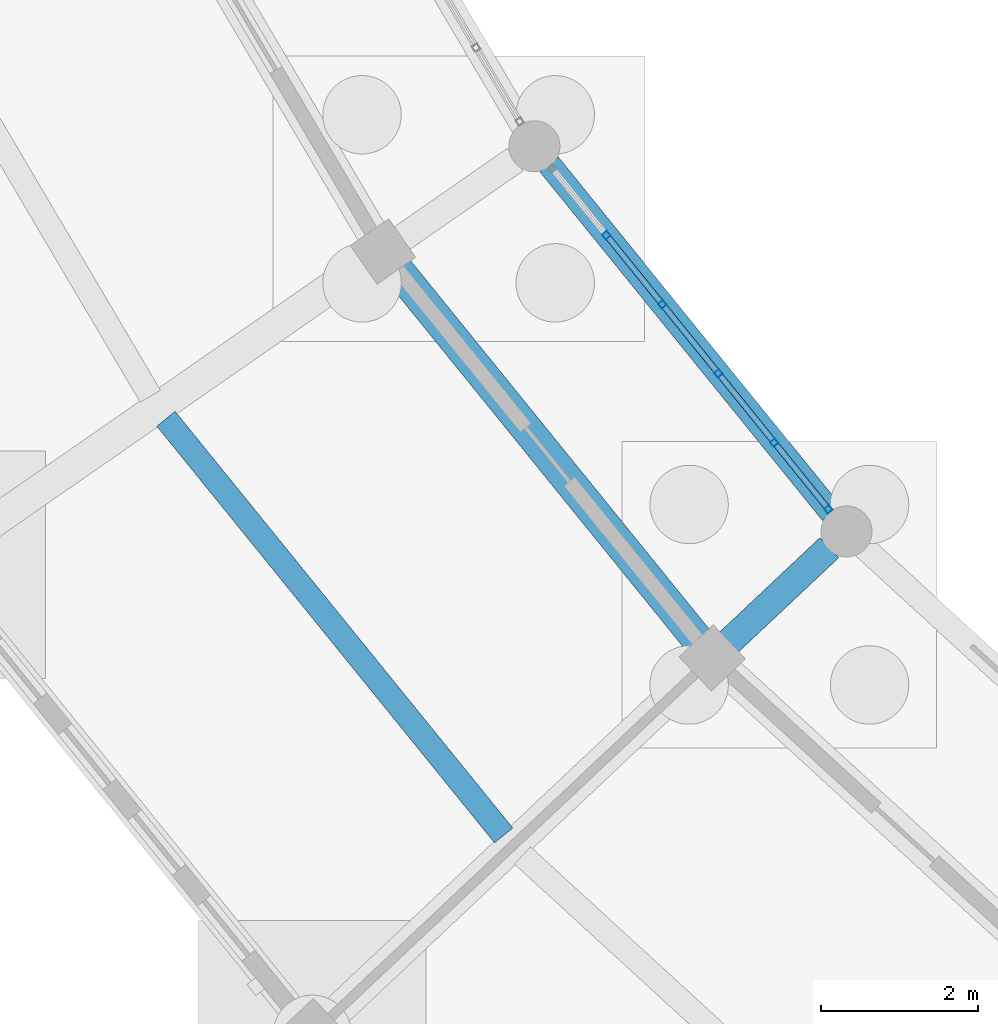
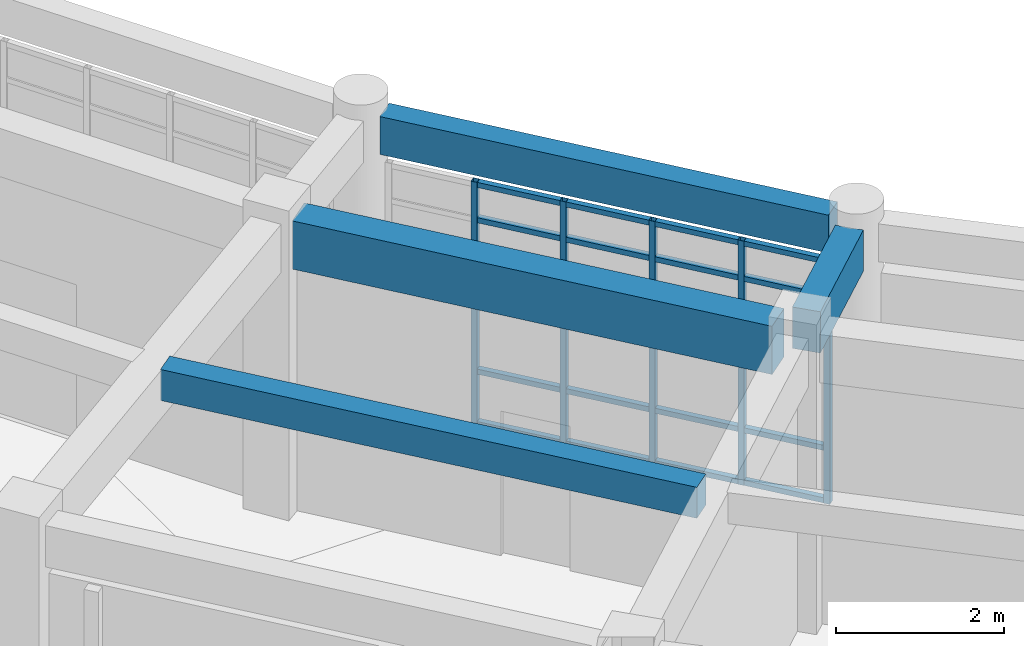
# One storey, part 25 of 153: 21 members, 4 beams, 1 element without a shape of its own.
"""IFC4 building model written with IfcOpenShell, lengths in metres."""

from ifc_helpers import new_model, si_unit, direction, frame, origin, origin_2d, place, context, subcontext, project, spatial, rectangle, hollow_rectangle, extrude, material, material_profile, profile_set, type_object, element, aggregate, save


model = new_model("IFC4")

# Units and contexts
model_context = context("Model", 3, precision=1e-05, world=origin(), true_north=direction((0.0, 1.0)))
body_context = subcontext(model_context, "Body", "Model", "MODEL_VIEW")
ifc_project = project(units=[si_unit("LENGTHUNIT", "METRE"), si_unit("AREAUNIT", "SQUARE_METRE"), si_unit("VOLUMEUNIT", "CUBIC_METRE"), si_unit("PLANEANGLEUNIT", "RADIAN"), si_unit("MASSUNIT", "GRAM", prefix="KILO")], contexts=[model_context])

# Site, building, storey
site_placement = place(None, origin())
site = spatial("IfcSite", under=ifc_project, at=site_placement, CompositionType="ELEMENT")
building_placement = place(site_placement, origin())
building = spatial("IfcBuilding", under=site, at=building_placement, Name="Celadon Cloister-Ring School", CompositionType="ELEMENT")
storey_placement = place(building_placement, origin())
storey = spatial("IfcBuildingStorey", under=building, at=storey_placement, Name="L00", CompositionType="ELEMENT", Elevation=0.0)

# Beam
ifc_material_1 = material(Name="Concrete C35/45", Category="concrete")
ifc_material_profile_1 = material_profile(ifc_material_1, rectangle(XDim=0.35009765625, YDim=0.60009765625, at=origin_2d()), Name="RC350X600")
ifc_profile_set_1 = profile_set([ifc_material_profile_1], Name="Concrete C35/45")
beam_type_1 = type_object("IfcBeamType", Name="BT-02", PredefinedType="BEAM", material=ifc_profile_set_1)
beam_1_placement = place(storey_placement, frame((54.43505859375, 28.343017578125, 3.97998046875), z_axis=(0.728438191737, 0.685111524366, 0.0), x_axis=(-0.685111524366, 0.728438191737, 0.0)))
element("IfcBeam", 1, at=beam_1_placement, inside=storey, type_object=beam_type_1, Name="Beam 0025", PredefinedType="BEAM", context=body_context, shape_type="SweptSolid", body=[
    extrude(rectangle(XDim=0.35009765625, YDim=0.60009765625, at=origin_2d()), origin(), (0.0, 0.0, 1.0), 1.77490234375),
])

# Curtain wall, members
ifc_material_2 = material(Name="Aluminium EN AW-6063 T6", Category="aluminium")
curtain_wall_type = type_object("IfcCurtainWallType", Name="CW-01", PredefinedType="USERDEFINED", material=ifc_material_2)
curtain_wall_placement = place(storey_placement, origin())
curtain_wall = element("IfcCurtainWall", 2, at=curtain_wall_placement, inside=storey, type_object=curtain_wall_type, Name="Curtain Wall 0007", ObjectType="CURTAIN WALL", PredefinedType="USERDEFINED")
ifc_material_3 = material(Name="Aluminium EN AW-6063 T6", Category="aluminium")
ifc_material_profile_2 = material_profile(ifc_material_3, hollow_rectangle(XDim=0.080078125, YDim=0.080078125, WallThickness=0.00390625, at=origin_2d()), Name="RHS80X80X4")
ifc_profile_set_2 = profile_set([ifc_material_profile_2], Name="Aluminium EN AW-6063 T6")
member_type_1 = type_object("IfcMemberType", Name="CM-03", PredefinedType="MULLION", material=ifc_profile_set_2)
member_1_placement = place(storey_placement, frame((52.88671875, 33.541015625, 0.0), z_axis=(0.0, 0.0, 1.0), x_axis=(0.777068192474, 0.629416415615, 0.0)))
member_1 = element("IfcMember", 3, at=member_1_placement, type_object=member_type_1, Name="CW-01 mullion 2", PredefinedType="MULLION", context=body_context, shape_type="SweptSolid", body=[
    extrude(hollow_rectangle(XDim=0.080078125, YDim=0.080078125, WallThickness=0.00390625, at=origin_2d()), origin(), (0.0, 0.0, 1.0), 3.550048828125),
])
member_2_placement = place(storey_placement, frame((53.60009765625, 32.659912109375, 0.0), z_axis=(0.0, 0.0, 1.0), x_axis=(0.777068192474, 0.629416415615, 0.0)))
member_2 = element("IfcMember", 4, at=member_2_placement, type_object=member_type_1, Name="CW-01 mullion 3", PredefinedType="MULLION", context=body_context, shape_type="SweptSolid", body=[
    extrude(hollow_rectangle(XDim=0.080078125, YDim=0.080078125, WallThickness=0.00390625, at=origin_2d()), origin(), (0.0, 0.0, 1.0), 3.550048828125),
])
member_3_placement = place(storey_placement, frame((54.313720703125, 31.779052734375, 0.0), z_axis=(0.0, 0.0, 1.0), x_axis=(0.777068192474, 0.629416415615, 0.0)))
member_3 = element("IfcMember", 5, at=member_3_placement, type_object=member_type_1, Name="CW-01 mullion 4", PredefinedType="MULLION", context=body_context, shape_type="SweptSolid", body=[
    extrude(hollow_rectangle(XDim=0.080078125, YDim=0.080078125, WallThickness=0.00390625, at=origin_2d()), origin(), (0.0, 0.0, 1.0), 3.550048828125),
])
member_4_placement = place(storey_placement, frame((55.02734375, 30.89794921875, 0.0), z_axis=(0.0, 0.0, 1.0), x_axis=(0.777068192474, 0.629416415615, 0.0)))
member_4 = element("IfcMember", 6, at=member_4_placement, type_object=member_type_1, Name="CW-01 mullion 5", PredefinedType="MULLION", context=body_context, shape_type="SweptSolid", body=[
    extrude(hollow_rectangle(XDim=0.080078125, YDim=0.080078125, WallThickness=0.00390625, at=origin_2d()), origin(), (0.0, 0.0, 1.0), 3.550048828125),
])
member_5_placement = place(storey_placement, frame((55.7158203125, 30.048095703125, 0.0), z_axis=(0.0, 0.0, 1.0), x_axis=(0.777068192474, 0.629416415615, 0.0)))
member_5 = element("IfcMember", 7, at=member_5_placement, type_object=member_type_1, Name="CW-01 mullion 6", PredefinedType="MULLION", context=body_context, shape_type="SweptSolid", body=[
    extrude(hollow_rectangle(XDim=0.080078125, YDim=0.080078125, WallThickness=0.00390625, at=origin_2d()), origin(), (0.0, 0.0, 1.0), 3.550048828125),
])
ifc_material_4 = material(Name="Aluminium EN AW-6063 T6", Category="aluminium")
ifc_material_profile_3 = material_profile(ifc_material_4, hollow_rectangle(XDim=0.074951171875, YDim=0.074951171875, WallThickness=0.00390625, at=origin_2d()), Name="RHS75X75X4")
ifc_profile_set_3 = profile_set([ifc_material_profile_3], Name="Aluminium EN AW-6063 T6")
member_type_2 = type_object("IfcMemberType", Name="CTM-03", PredefinedType="USERDEFINED", material=ifc_profile_set_3)
member_6_placement = place(storey_placement, frame((52.911865234375, 33.510009765625, 0.03759765625), z_axis=(0.62931820134, -0.777147734644, 0.0), x_axis=(0.777147734644, 0.62931820134, 0.0)))
member_6 = element("IfcMember", 8, at=member_6_placement, type_object=member_type_2, Name="CW-01 transom 2.1", ObjectType="TRANSOM", PredefinedType="USERDEFINED", context=body_context, shape_type="SweptSolid", body=[
    extrude(hollow_rectangle(XDim=0.074951171875, YDim=0.074951171875, WallThickness=0.00390625, at=origin_2d()), origin(), (0.0, 0.0, 1.0), 1.0537109375),
])
member_7_placement = place(storey_placement, frame((52.911865234375, 33.510009765625, 0.800048828125), z_axis=(0.62931820134, -0.777147734644, 0.0), x_axis=(0.777147734644, 0.62931820134, 0.0)))
member_7 = element("IfcMember", 9, at=member_7_placement, type_object=member_type_2, Name="CW-01 transom 2.2", ObjectType="TRANSOM", PredefinedType="USERDEFINED", context=body_context, shape_type="SweptSolid", body=[
    extrude(hollow_rectangle(XDim=0.074951171875, YDim=0.074951171875, WallThickness=0.00390625, at=origin_2d()), origin(), (0.0, 0.0, 1.0), 1.0537109375),
])
member_8_placement = place(storey_placement, frame((52.911865234375, 33.510009765625, 3.0), z_axis=(0.62931820134, -0.777147734644, 0.0), x_axis=(0.777147734644, 0.62931820134, 0.0)))
member_8 = element("IfcMember", 10, at=member_8_placement, type_object=member_type_2, Name="CW-01 transom 2.3", ObjectType="TRANSOM", PredefinedType="USERDEFINED", context=body_context, shape_type="SweptSolid", body=[
    extrude(hollow_rectangle(XDim=0.074951171875, YDim=0.074951171875, WallThickness=0.00390625, at=origin_2d()), origin(), (0.0, 0.0, 1.0), 1.0537109375),
])
member_9_placement = place(storey_placement, frame((52.911865234375, 33.510009765625, 3.512451171875), z_axis=(0.62931820134, -0.777147734644, 0.0), x_axis=(0.777147734644, 0.62931820134, 0.0)))
member_9 = element("IfcMember", 11, at=member_9_placement, type_object=member_type_2, Name="CW-01 transom 2.4", ObjectType="TRANSOM", PredefinedType="USERDEFINED", context=body_context, shape_type="SweptSolid", body=[
    extrude(hollow_rectangle(XDim=0.074951171875, YDim=0.074951171875, WallThickness=0.00390625, at=origin_2d()), origin(), (0.0, 0.0, 1.0), 1.0537109375),
])
member_10_placement = place(storey_placement, frame((53.62548828125, 32.62890625, 0.03759765625), z_axis=(0.62931820134, -0.777147734644, 0.0), x_axis=(0.777147734644, 0.62931820134, 0.0)))
member_10 = element("IfcMember", 12, at=member_10_placement, type_object=member_type_2, Name="CW-01 transom 3.1", ObjectType="TRANSOM", PredefinedType="USERDEFINED", context=body_context, shape_type="SweptSolid", body=[
    extrude(hollow_rectangle(XDim=0.074951171875, YDim=0.074951171875, WallThickness=0.00390625, at=origin_2d()), origin(), (0.0, 0.0, 1.0), 1.0537109375),
])
member_11_placement = place(storey_placement, frame((53.62548828125, 32.62890625, 0.800048828125), z_axis=(0.62931820134, -0.777147734644, 0.0), x_axis=(0.777147734644, 0.62931820134, 0.0)))
member_11 = element("IfcMember", 13, at=member_11_placement, type_object=member_type_2, Name="CW-01 transom 3.2", ObjectType="TRANSOM", PredefinedType="USERDEFINED", context=body_context, shape_type="SweptSolid", body=[
    extrude(hollow_rectangle(XDim=0.074951171875, YDim=0.074951171875, WallThickness=0.00390625, at=origin_2d()), origin(), (0.0, 0.0, 1.0), 1.0537109375),
])
member_12_placement = place(storey_placement, frame((53.62548828125, 32.62890625, 3.0), z_axis=(0.62931820134, -0.777147734644, 0.0), x_axis=(0.777147734644, 0.62931820134, 0.0)))
member_12 = element("IfcMember", 14, at=member_12_placement, type_object=member_type_2, Name="CW-01 transom 3.3", ObjectType="TRANSOM", PredefinedType="USERDEFINED", context=body_context, shape_type="SweptSolid", body=[
    extrude(hollow_rectangle(XDim=0.074951171875, YDim=0.074951171875, WallThickness=0.00390625, at=origin_2d()), origin(), (0.0, 0.0, 1.0), 1.0537109375),
])
member_13_placement = place(storey_placement, frame((53.62548828125, 32.62890625, 3.512451171875), z_axis=(0.62931820134, -0.777147734644, 0.0), x_axis=(0.777147734644, 0.62931820134, 0.0)))
member_13 = element("IfcMember", 15, at=member_13_placement, type_object=member_type_2, Name="CW-01 transom 3.4", ObjectType="TRANSOM", PredefinedType="USERDEFINED", context=body_context, shape_type="SweptSolid", body=[
    extrude(hollow_rectangle(XDim=0.074951171875, YDim=0.074951171875, WallThickness=0.00390625, at=origin_2d()), origin(), (0.0, 0.0, 1.0), 1.0537109375),
])
member_14_placement = place(storey_placement, frame((54.3388671875, 31.747802734375, 0.03759765625), z_axis=(0.629571440505, -0.776942598459, 0.0), x_axis=(0.776942598459, 0.629571440505, 0.0)))
member_14 = element("IfcMember", 16, at=member_14_placement, type_object=member_type_2, Name="CW-01 transom 4.1", ObjectType="TRANSOM", PredefinedType="USERDEFINED", context=body_context, shape_type="SweptSolid", body=[
    extrude(hollow_rectangle(XDim=0.074951171875, YDim=0.074951171875, WallThickness=0.00390625, at=origin_2d()), origin(), (0.0, 0.0, 1.0), 1.0537109375),
])
member_15_placement = place(storey_placement, frame((54.3388671875, 31.747802734375, 0.800048828125), z_axis=(0.629571440505, -0.776942598459, 0.0), x_axis=(0.776942598459, 0.629571440505, 0.0)))
member_15 = element("IfcMember", 17, at=member_15_placement, type_object=member_type_2, Name="CW-01 transom 4.2", ObjectType="TRANSOM", PredefinedType="USERDEFINED", context=body_context, shape_type="SweptSolid", body=[
    extrude(hollow_rectangle(XDim=0.074951171875, YDim=0.074951171875, WallThickness=0.00390625, at=origin_2d()), origin(), (0.0, 0.0, 1.0), 1.0537109375),
])
member_16_placement = place(storey_placement, frame((54.3388671875, 31.747802734375, 3.0), z_axis=(0.629571440505, -0.776942598459, 0.0), x_axis=(0.776942598459, 0.629571440505, 0.0)))
member_16 = element("IfcMember", 18, at=member_16_placement, type_object=member_type_2, Name="CW-01 transom 4.3", ObjectType="TRANSOM", PredefinedType="USERDEFINED", context=body_context, shape_type="SweptSolid", body=[
    extrude(hollow_rectangle(XDim=0.074951171875, YDim=0.074951171875, WallThickness=0.00390625, at=origin_2d()), origin(), (0.0, 0.0, 1.0), 1.0537109375),
])
member_17_placement = place(storey_placement, frame((54.3388671875, 31.747802734375, 3.512451171875), z_axis=(0.629571440505, -0.776942598459, 0.0), x_axis=(0.776942598459, 0.629571440505, 0.0)))
member_17 = element("IfcMember", 19, at=member_17_placement, type_object=member_type_2, Name="CW-01 transom 4.4", ObjectType="TRANSOM", PredefinedType="USERDEFINED", context=body_context, shape_type="SweptSolid", body=[
    extrude(hollow_rectangle(XDim=0.074951171875, YDim=0.074951171875, WallThickness=0.00390625, at=origin_2d()), origin(), (0.0, 0.0, 1.0), 1.0537109375),
])
member_18_placement = place(storey_placement, frame((55.052490234375, 30.866943359375, 0.03759765625), z_axis=(0.629440643306, -0.777048567693, 0.0), x_axis=(0.777048567693, 0.629440643306, 0.0)))
member_18 = element("IfcMember", 20, at=member_18_placement, type_object=member_type_2, Name="CW-01 transom 5.1", ObjectType="TRANSOM", PredefinedType="USERDEFINED", context=body_context, shape_type="SweptSolid", body=[
    extrude(hollow_rectangle(XDim=0.074951171875, YDim=0.074951171875, WallThickness=0.00390625, at=origin_2d()), origin(), (0.0, 0.0, 1.0), 1.013916015625),
])
member_19_placement = place(storey_placement, frame((55.052490234375, 30.866943359375, 0.800048828125), z_axis=(0.629440643306, -0.777048567693, 0.0), x_axis=(0.777048567693, 0.629440643306, 0.0)))
member_19 = element("IfcMember", 21, at=member_19_placement, type_object=member_type_2, Name="CW-01 transom 5.2", ObjectType="TRANSOM", PredefinedType="USERDEFINED", context=body_context, shape_type="SweptSolid", body=[
    extrude(hollow_rectangle(XDim=0.074951171875, YDim=0.074951171875, WallThickness=0.00390625, at=origin_2d()), origin(), (0.0, 0.0, 1.0), 1.013916015625),
])
member_20_placement = place(storey_placement, frame((55.052490234375, 30.866943359375, 3.0), z_axis=(0.629440643306, -0.777048567693, 0.0), x_axis=(0.777048567693, 0.629440643306, 0.0)))
member_20 = element("IfcMember", 22, at=member_20_placement, type_object=member_type_2, Name="CW-01 transom 5.3", ObjectType="TRANSOM", PredefinedType="USERDEFINED", context=body_context, shape_type="SweptSolid", body=[
    extrude(hollow_rectangle(XDim=0.074951171875, YDim=0.074951171875, WallThickness=0.00390625, at=origin_2d()), origin(), (0.0, 0.0, 1.0), 1.013916015625),
])
member_21_placement = place(storey_placement, frame((55.052490234375, 30.866943359375, 3.512451171875), z_axis=(0.629440643306, -0.777048567693, 0.0), x_axis=(0.777048567693, 0.629440643306, 0.0)))
member_21 = element("IfcMember", 23, at=member_21_placement, type_object=member_type_2, Name="CW-01 transom 5.4", ObjectType="TRANSOM", PredefinedType="USERDEFINED", context=body_context, shape_type="SweptSolid", body=[
    extrude(hollow_rectangle(XDim=0.074951171875, YDim=0.074951171875, WallThickness=0.00390625, at=origin_2d()), origin(), (0.0, 0.0, 1.0), 1.013916015625),
])
aggregate(curtain_wall, [member_1, member_2, member_3, member_4, member_5, member_6, member_7, member_8, member_9, member_10, member_11, member_12, member_13, member_14, member_15, member_16, member_17, member_18, member_19, member_20, member_21])

# Beams
ifc_material_5 = material(Name="Concrete C35/45", Category="concrete")
ifc_material_profile_4 = material_profile(ifc_material_5, rectangle(XDim=0.39990234375, YDim=0.699951171875, at=origin_2d()), Name="RC400X700")
ifc_profile_set_4 = profile_set([ifc_material_profile_4], Name="Concrete C35/45")
beam_type_2 = type_object("IfcBeamType", Name="GT-03", PredefinedType="USERDEFINED", material=ifc_profile_set_4)
beam_2_placement = place(storey_placement, frame((50.2109375, 33.118896484375, 3.929931640625), z_axis=(0.629696496522, -0.776841246502, 0.0), x_axis=(0.776841246502, 0.629696496522, 0.0)))
element("IfcBeam", 24, at=beam_2_placement, inside=storey, type_object=beam_type_2, Name="Beam 0112", ObjectType="GIRDER", PredefinedType="USERDEFINED", context=body_context, shape_type="SweptSolid", body=[
    extrude(rectangle(XDim=0.39990234375, YDim=0.699951171875, at=origin_2d()), origin(), (0.0, 0.0, 1.0), 6.11572265625),
])
ifc_material_6 = material(Name="Concrete C35/45", Category="concrete")
ifc_material_profile_5 = material_profile(ifc_material_6, rectangle(XDim=0.300048828125, YDim=0.449951171875, at=origin_2d()), Name="RC300X450")
ifc_profile_set_5 = profile_set([ifc_material_profile_5], Name="Concrete C35/45")
beam_type_3 = type_object("IfcBeamType", Name="JT-01", PredefinedType="JOIST", material=ifc_profile_set_5)
beam_3_placement = place(storey_placement, frame((47.27294921875, 31.200927734375, 4.054931640625), z_axis=(0.629687207375, -0.776848776062, 0.0), x_axis=(0.776848776062, 0.629687207375, 0.0)))
element("IfcBeam", 25, at=beam_3_placement, inside=storey, type_object=beam_type_3, Name="Beam 0114", PredefinedType="JOIST", context=body_context, shape_type="SweptSolid", body=[
    extrude(rectangle(XDim=0.300048828125, YDim=0.449951171875, at=origin_2d()), origin(), (0.0, 0.0, 1.0), 6.8349609375),
])
ifc_material_7 = material(Name="Concrete C35/45", Category="concrete")
ifc_material_profile_6 = material_profile(ifc_material_7, rectangle(XDim=0.300048828125, YDim=0.550048828125, at=origin_2d()), Name="RC300X550")
ifc_profile_set_6 = profile_set([ifc_material_profile_6], Name="Concrete C35/45")
beam_type_4 = type_object("IfcBeamType", Name="SP-02", PredefinedType="SPANDREL", material=ifc_profile_set_6)
beam_4_placement = place(storey_placement, frame((52.156982421875, 34.44091796875, 4.0048828125), z_axis=(0.629566613558, -0.776946509802, 0.0), x_axis=(0.776946509802, 0.629566613558, 0.0)))
element("IfcBeam", 26, at=beam_4_placement, inside=storey, type_object=beam_type_4, Name="Beam 0113", PredefinedType="SPANDREL", context=body_context, shape_type="SweptSolid", body=[
    extrude(rectangle(XDim=0.300048828125, YDim=0.550048828125, at=origin_2d()), origin(), (0.0, 0.0, 1.0), 5.71826171875),
])

save(model, "model.ifc")
